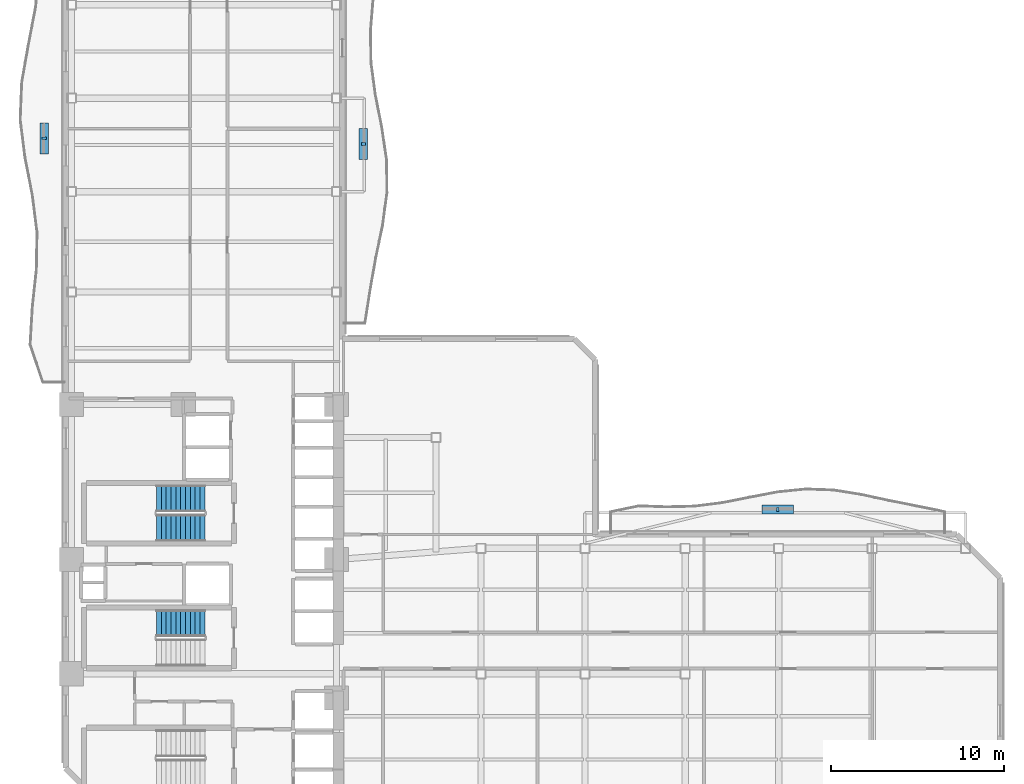
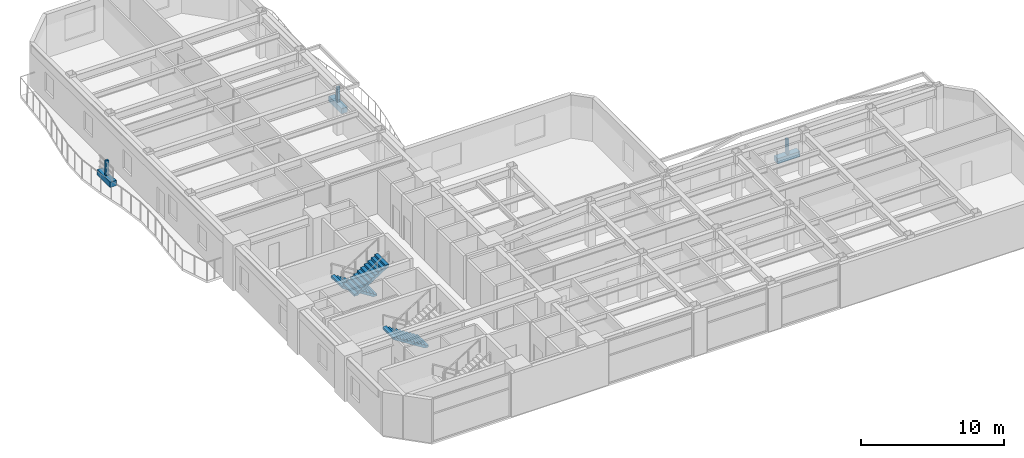
# One storey, part 13 of 16: 6 discrete accessories, 3 stair flights, 2 elements without a shape of their own.
"""IFC4 building model written with IfcOpenShell, lengths in metres."""

from ifc_helpers import new_model, si_unit, direction, frame, origin, origin_2d, place, context, subcontext, project, spatial, polyline, rectangle, outline, extrude, material, type_object, element, aggregate, save


model = new_model("IFC4")

# Units and contexts
model_context = context("Model", 3, precision=1e-05, world=origin(), true_north=direction((0.0, 1.0)))
body_context = subcontext(model_context, "Body", "Model", "MODEL_VIEW")
ifc_project = project(units=[si_unit("LENGTHUNIT", "METRE"), si_unit("AREAUNIT", "SQUARE_METRE"), si_unit("VOLUMEUNIT", "CUBIC_METRE"), si_unit("PLANEANGLEUNIT", "RADIAN"), si_unit("MASSUNIT", "GRAM", prefix="KILO")], contexts=[model_context])

# Site, building, storey
site_placement = place(None, origin())
site = spatial("IfcSite", under=ifc_project, at=site_placement, CompositionType="ELEMENT")
building_placement = place(site_placement, origin())
building = spatial("IfcBuilding", under=site, at=building_placement, Name="Mawjaban Terraces University", CompositionType="ELEMENT")
storey_placement = place(building_placement, frame((0.0, 0.0, 54.39990234375)))
storey = spatial("IfcBuildingStorey", under=building, at=storey_placement, Name="L12", CompositionType="ELEMENT", Elevation=54.39990234375)

# Stair, stair flights
ifc_material_1 = material(Name="Concrete C40/50", Category="concrete")
stair_type = type_object("IfcStairType", Name="Stair_Core1550_H39", PredefinedType="HALF_TURN_STAIR", material=ifc_material_1)
stair_1_placement = place(storey_placement, origin())
stair_1 = element("IfcStair", 1, at=stair_1_placement, inside=storey, type_object=stair_type, Name="L12 Core Exit Stair 2", PredefinedType="HALF_TURN_STAIR")
stair_flight_type = type_object("IfcStairFlightType", Name="Flight_Core1550_H39", PredefinedType="STRAIGHT", material=ifc_material_1)
stair_flight_1_placement = place(storey_placement, frame((30.050048828125, 18.074951171875, 0.0), z_axis=(0.0, 0.0, 1.0), x_axis=(-1.0, 0.0, 0.0)))
stair_flight_1 = element("IfcStairFlight", 2, at=stair_flight_1_placement, type_object=stair_flight_type, Name="ST-2 flight 1", NumberOfRisers=11, NumberOfTreads=10, PredefinedType="STRAIGHT", RiserHeight=0.177272727, TreadLength=0.28, context=body_context, shape_type="SweptSolid", body=[
    extrude(outline(polyline([(0.0, 0.0), (0.0, 0.17724609375), (0.280029296875, 0.17724609375), (0.280029296875, 0.3544921875), (0.56005859375, 0.3544921875), (0.56005859375, 0.53173828125), (0.840087890625, 0.53173828125), (0.840087890625, 0.708984375), (1.1201171875, 0.708984375), (1.1201171875, 0.886474609375), (1.39990234375, 0.886474609375), (1.39990234375, 1.063720703125), (1.679931640625, 1.063720703125), (1.679931640625, 1.240966796875), (1.9599609375, 1.240966796875), (1.9599609375, 1.418212890625), (2.239990234375, 1.418212890625), (2.239990234375, 1.595458984375), (2.52001953125, 1.595458984375), (2.52001953125, 1.772705078125), (2.800048828125, 1.772705078125), (2.800048828125, 1.949951171875), (2.800048828125, 1.59521484375), (0.2802734375, 0.0), (0.0, 0.0)])), frame((0.0, 0.77490234375, 0.0), z_axis=(0.0, -1.0, 0.0), x_axis=(1.0, 0.0, 0.0)), (0.0, 0.0, 1.0), 1.550048828125),
])
stair_flight_2_placement = place(storey_placement, frame((27.25, 16.375, 1.9501953125), z_axis=(0.0, 0.0, 1.0), x_axis=(1.0, 0.0, 0.0)))
stair_flight_2 = element("IfcStairFlight", 3, at=stair_flight_2_placement, type_object=stair_flight_type, Name="ST-2 flight 2", NumberOfRisers=11, NumberOfTreads=10, PredefinedType="STRAIGHT", RiserHeight=0.177272727, TreadLength=0.28, context=body_context, shape_type="SweptSolid", body=[
    extrude(outline(polyline([(0.0, 0.0), (0.0, 0.17724609375), (0.280029296875, 0.17724609375), (0.280029296875, 0.3544921875), (0.56005859375, 0.3544921875), (0.56005859375, 0.53173828125), (0.840087890625, 0.53173828125), (0.840087890625, 0.708984375), (1.1201171875, 0.708984375), (1.1201171875, 0.886474609375), (1.39990234375, 0.886474609375), (1.39990234375, 1.063720703125), (1.679931640625, 1.063720703125), (1.679931640625, 1.240966796875), (1.9599609375, 1.240966796875), (1.9599609375, 1.418212890625), (2.239990234375, 1.418212890625), (2.239990234375, 1.595458984375), (2.52001953125, 1.595458984375), (2.52001953125, 1.772705078125), (2.800048828125, 1.772705078125), (2.800048828125, 1.949951171875), (2.800048828125, 1.59521484375), (0.2802734375, 0.0), (0.0, 0.0)])), frame((0.0, 0.77490234375, 0.0), z_axis=(0.0, -1.0, 0.0), x_axis=(1.0, 0.0, 0.0)), (0.0, 0.0, 1.0), 1.550048828125),
])
aggregate(stair_1, [stair_flight_1, stair_flight_2])

# Stair, stair flight
stair_2_placement = place(storey_placement, origin())
stair_2 = element("IfcStair", 4, at=stair_2_placement, inside=storey, type_object=stair_type, Name="L12 Core Exit Stair 3", PredefinedType="HALF_TURN_STAIR")
stair_flight_3_placement = place(storey_placement, frame((30.050048828125, 10.875, 0.0), z_axis=(0.0, 0.0, 1.0), x_axis=(-1.0, 0.0, 0.0)))
stair_flight_3 = element("IfcStairFlight", 5, at=stair_flight_3_placement, type_object=stair_flight_type, Name="ST-3 flight 1", NumberOfRisers=11, NumberOfTreads=10, PredefinedType="STRAIGHT", RiserHeight=0.177272727, TreadLength=0.28, context=body_context, shape_type="SweptSolid", body=[
    extrude(outline(polyline([(0.0, 0.0), (0.0, 0.17724609375), (0.280029296875, 0.17724609375), (0.280029296875, 0.3544921875), (0.56005859375, 0.3544921875), (0.56005859375, 0.53173828125), (0.840087890625, 0.53173828125), (0.840087890625, 0.708984375), (1.1201171875, 0.708984375), (1.1201171875, 0.886474609375), (1.39990234375, 0.886474609375), (1.39990234375, 1.063720703125), (1.679931640625, 1.063720703125), (1.679931640625, 1.240966796875), (1.9599609375, 1.240966796875), (1.9599609375, 1.418212890625), (2.239990234375, 1.418212890625), (2.239990234375, 1.595458984375), (2.52001953125, 1.595458984375), (2.52001953125, 1.772705078125), (2.800048828125, 1.772705078125), (2.800048828125, 1.949951171875), (2.800048828125, 1.59521484375), (0.2802734375, 0.0), (0.0, 0.0)])), frame((0.0, 0.77490234375, 0.0), z_axis=(0.0, -1.0, 0.0), x_axis=(1.0, 0.0, 0.0)), (0.0, 0.0, 1.0), 1.550048828125),
])
aggregate(stair_2, [stair_flight_3])

# Discrete accessories
ifc_material_2 = material(Name="Stainless steel 316L", Category="steel")
discrete_accessory_type_1 = type_object("IfcDiscreteAccessoryType", Name="FacadeScreenBracket_Steel", PredefinedType="BRACKET", material=ifc_material_2)
for number, where, z_axis, x_axis, name in (
    (6, (20.76904296875, 38.883056640625, 0.419921875), (0.0, 0.0, 1.0), (0.0, 1.0, 0.0), "L12 Balcony Screen Support Bracket west"),
    (7, (63.14208984375, 17.44091796875, 0.419921875), (0.0, 0.0, 1.0), (1.0, 0.0, 0.0), "L12 Balcony Screen Support Bracket inner_north"),
    (8, (39.205078125, 38.555908203125, 0.419921875), (0.0, 0.0, 1.0), (0.0, 1.0, 0.0), "L12 Balcony Screen Support Bracket inner_east"),
):
    element("IfcDiscreteAccessory", number, at=place(storey_placement, frame(where, z_axis=z_axis, x_axis=x_axis)), inside=storey, type_object=discrete_accessory_type_1, Name=name, PredefinedType="BRACKET", context=body_context, shape_type="SweptSolid", body=[
        extrude(rectangle(XDim=0.159912109375, YDim=0.239990234375, at=origin_2d()), origin(), (0.0, 0.0, 1.0), 1.300048828125),
    ])
ifc_material_3 = material(Name="Precast architectural terracotta planter with engineered planting soil", Category="masonry")
discrete_accessory_type_2 = type_object("IfcDiscreteAccessoryType", Name="IrrigatedPlanterTrough_450", PredefinedType="USERDEFINED", material=ifc_material_3)
for number, where, z_axis, x_axis, name in (
    (9, (20.76904296875, 38.883056640625, -0.0048828125), (0.0, 0.0, 1.0), (0.0, 1.0, 0.0), "L12 Balcony Irrigated Planter west"),
    (10, (63.14208984375, 17.44091796875, -0.0048828125), (0.0, 0.0, 1.0), (1.0, 0.0, 0.0), "L12 Balcony Irrigated Planter inner_north"),
    (11, (39.205078125, 38.555908203125, -0.0048828125), (0.0, 0.0, 1.0), (0.0, 1.0, 0.0), "L12 Balcony Irrigated Planter inner_east"),
):
    element("IfcDiscreteAccessory", number, at=place(storey_placement, frame(where, z_axis=z_axis, x_axis=x_axis)), inside=storey, type_object=discrete_accessory_type_2, Name=name, ObjectType="PLANTER", PredefinedType="USERDEFINED", context=body_context, shape_type="SweptSolid", body=[
        extrude(rectangle(XDim=1.800048828125, YDim=0.5, at=origin_2d()), origin(), (0.0, 0.0, 1.0), 0.449951171875),
    ])

save(model, "model.ifc")
